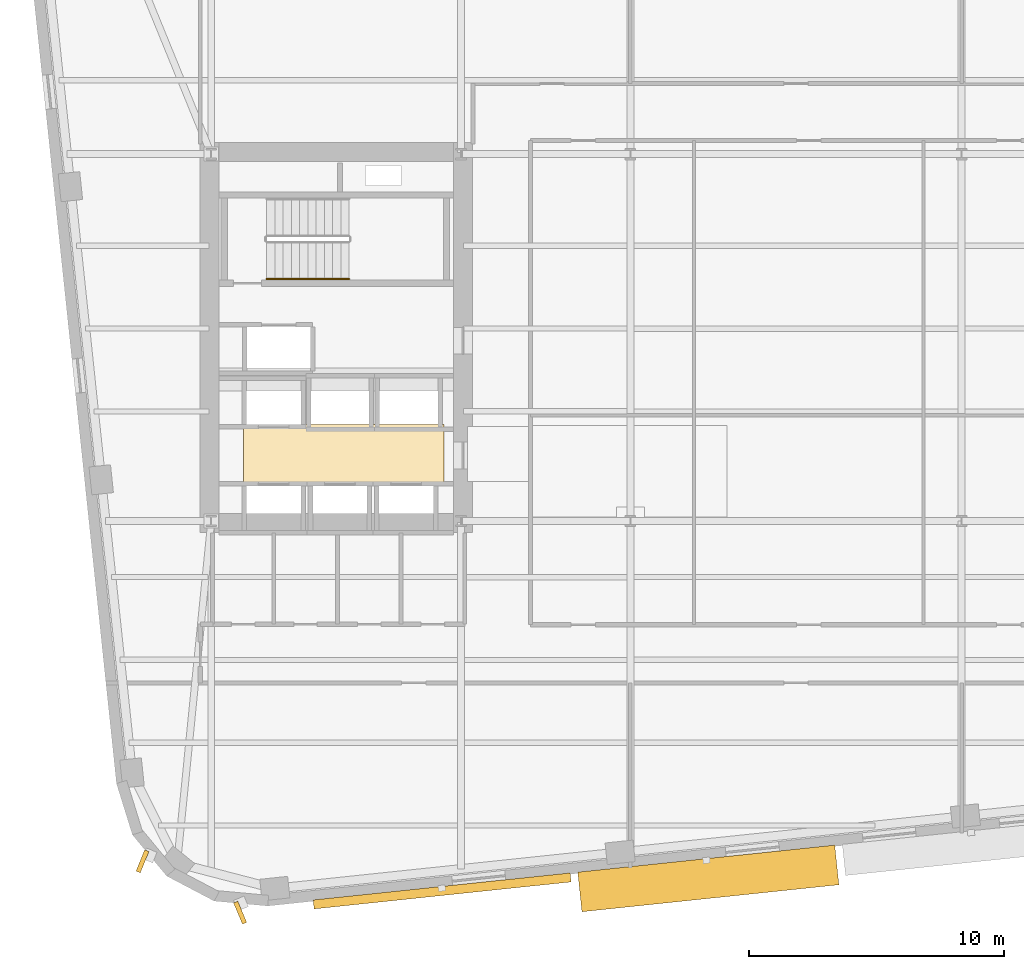
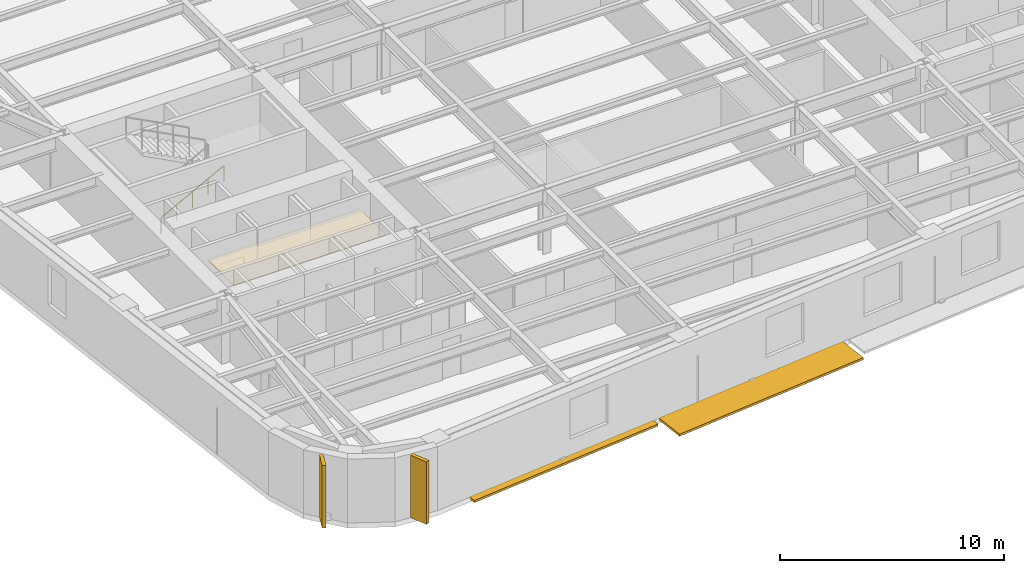
# One storey, part 8 of 14: 4 shading devices, 1 covering, 1 railing.
"""IFC4 building model written with IfcOpenShell, lengths in metres."""

from ifc_helpers import new_model, si_unit, direction, frame, origin, origin_2d, place, context, subcontext, project, spatial, polyline, rectangle, circle, outline, extrude, material, layer, layer_set, type_object, element, save


model = new_model("IFC4")

# Units and contexts
model_context = context("Model", 3, precision=1e-05, world=origin(), true_north=direction((0.0, 1.0)))
body_context = subcontext(model_context, "Body", "Model", "MODEL_VIEW")
ifc_project = project(units=[si_unit("LENGTHUNIT", "METRE"), si_unit("AREAUNIT", "SQUARE_METRE"), si_unit("VOLUMEUNIT", "CUBIC_METRE"), si_unit("PLANEANGLEUNIT", "RADIAN"), si_unit("MASSUNIT", "GRAM", prefix="KILO")], contexts=[model_context])

# Site, building, storey
site_placement = place(None, origin())
site = spatial("IfcSite", under=ifc_project, at=site_placement, CompositionType="ELEMENT")
building_placement = place(site_placement, origin())
building = spatial("IfcBuilding", under=site, at=building_placement, Name="Kolvaren Arena Tower", CompositionType="ELEMENT")
storey_placement = place(building_placement, frame((0.0, 0.0, 130.75)))
storey = spatial("IfcBuildingStorey", under=building, at=storey_placement, Name="L30", CompositionType="ELEMENT", Elevation=130.75)

# Covering
ifc_material_1 = material(Name="Moisture-resistant gypsum ceiling", Category="gypsum")
ifc_layer = layer(ifc_material_1, 0.030029296875)
ifc_layer_set = layer_set([ifc_layer], Name="Moisture-resistant gypsum ceiling")
covering_type = type_object("IfcCoveringType", Name="CEIL-GYP-1", PredefinedType="CEILING", material=ifc_layer_set)
covering_placement = place(storey_placement, frame((0.0, 0.0, 2.52001953125)))
element("IfcCovering", 1, at=covering_placement, inside=storey, type_object=covering_type, Name="Suspended Ceiling (L30)", PredefinedType="CEILING", context=body_context, shape_type="SweptSolid", body=[
    extrude(outline(polyline([(15.820068359375, 20.89990234375), (15.820068359375, 23.239990234375), (23.679931640625, 23.239990234375), (23.679931640625, 20.89990234375), (15.820068359375, 20.89990234375)])), origin(), (0.0, 0.0, 1.0), 0.030029296875),
])

# Railing
ifc_material_2 = material(Name="Brushed stainless steel handrail", Category="steel")
railing_type = type_object("IfcRailingType", Name="HRAIL-900", PredefinedType="HANDRAIL", material=ifc_material_2)
railing_placement = place(storey_placement, frame((16.719970703125, 28.949951171875, 0.17041015625)))
element("IfcRailing", 2, at=railing_placement, inside=storey, type_object=railing_type, Name="L30 ST-W1 stair handrail 1", PredefinedType="HANDRAIL", context=body_context, shape_type="SweptSolid", body=[
    extrude(circle(Radius=0.02392578125, at=origin_2d()), frame((0.0, 0.0, 0.8759765625), z_axis=(0.884993431791, 0.0, 0.465603506952), x_axis=(0.0, 1.0, 0.0)), (0.0, 0.0, 1.0), 3.6611328125),
    extrude(circle(Radius=0.02099609375, at=origin_2d()), origin(), (0.0, 0.0, 1.0), 0.851806640625),
    extrude(circle(Radius=0.02099609375, at=origin_2d()), frame((0.81005859375, 0.0, 0.42626953125)), (0.0, 0.0, 1.0), 0.851806640625),
    extrude(circle(Radius=0.02099609375, at=origin_2d()), frame((1.6201171875, 0.0, 0.852294921875)), (0.0, 0.0, 1.0), 0.851806640625),
    extrude(circle(Radius=0.02099609375, at=origin_2d()), frame((2.429931640625, 0.0, 1.2783203125)), (0.0, 0.0, 1.0), 0.851806640625),
    extrude(circle(Radius=0.02099609375, at=origin_2d()), frame((3.239990234375, 0.0, 1.70458984375)), (0.0, 0.0, 1.0), 0.851806640625),
])

# Shading devices
ifc_material_3 = material(Name="Precast architectural concrete C50/60 rib fin", Category="concrete")
shading_device_type_1 = type_object("IfcShadingDeviceType", Name="SHAD-FIN-28", PredefinedType="USERDEFINED", material=ifc_material_3)
for number, where, z_axis, x_axis, name in (
    (3, (11.8525390625, 6.09521484375, 0.02001953125), (0.0, 0.0, 1.0), (-0.378634078949, -0.925546451702, 0.0), "Precast 28-Deg Corner Rib Fin (L30)"),
    (4, (15.683837890625, 4.07958984375, 0.02001953125), (0.0, 0.0, 1.0), (0.386706132999, -0.922202996472, 0.0), "Precast 28-Deg Corner Rib Fin (L30)"),
):
    element("IfcShadingDevice", number, at=place(storey_placement, frame(where, z_axis=z_axis, x_axis=x_axis)), inside=storey, type_object=shading_device_type_1, Name=name, ObjectType="FIN", PredefinedType="USERDEFINED", context=body_context, shape_type="SweptSolid", body=[
        extrude(rectangle(XDim=0.89990234375, YDim=0.179931640625, at=origin_2d()), origin(), (0.0, 0.0, 1.0), 3.39990234375),
    ])
ifc_material_4 = material(Name="Architectural precast GFRC and anodised aluminium sunshade", Category="concrete")
shading_device_type_2 = type_object("IfcShadingDeviceType", Name="SHAD-SINE-A", PredefinedType="USERDEFINED", material=ifc_material_4)
shading_device_1_placement = place(storey_placement, frame((23.611572265625, 4.932373046875, -0.14013671875), z_axis=(0.0, 0.0, 1.0), x_axis=(-0.994522077803, -0.104526727499, 0.0)))
element("IfcShadingDevice", 5, at=shading_device_1_placement, inside=storey, type_object=shading_device_type_2, Name="Sinusoidal Slab-Edge Sunshade Louvre (L30)", ObjectType="LOUVRE", PredefinedType="USERDEFINED", context=body_context, shape_type="SweptSolid", body=[
    extrude(rectangle(XDim=10.139892578125, YDim=0.356201171875, at=origin_2d()), origin(), (0.0, 0.0, 1.0), 0.1201171875),
])
shading_device_type_3 = type_object("IfcShadingDeviceType", Name="SHAD-SINE-B", PredefinedType="JALOUSIE", material=ifc_material_4)
shading_device_2_placement = place(storey_placement, frame((34.0576171875, 5.422607421875, -0.14013671875), z_axis=(0.0, 0.0, 1.0), x_axis=(-0.994522077803, -0.104526727499, 0.0)))
element("IfcShadingDevice", 6, at=shading_device_2_placement, inside=storey, type_object=shading_device_type_3, Name="Sinusoidal Slab-Edge Sunshade Louvre (L30)", PredefinedType="JALOUSIE", context=body_context, shape_type="SweptSolid", body=[
    extrude(rectangle(XDim=10.139892578125, YDim=1.56494140625, at=origin_2d()), origin(), (0.0, 0.0, 1.0), 0.1201171875),
])

save(model, "model.ifc")
